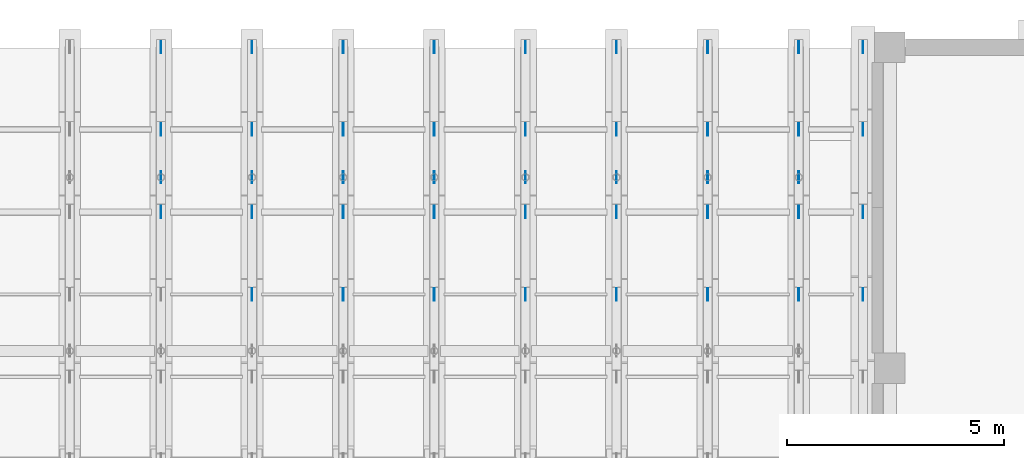
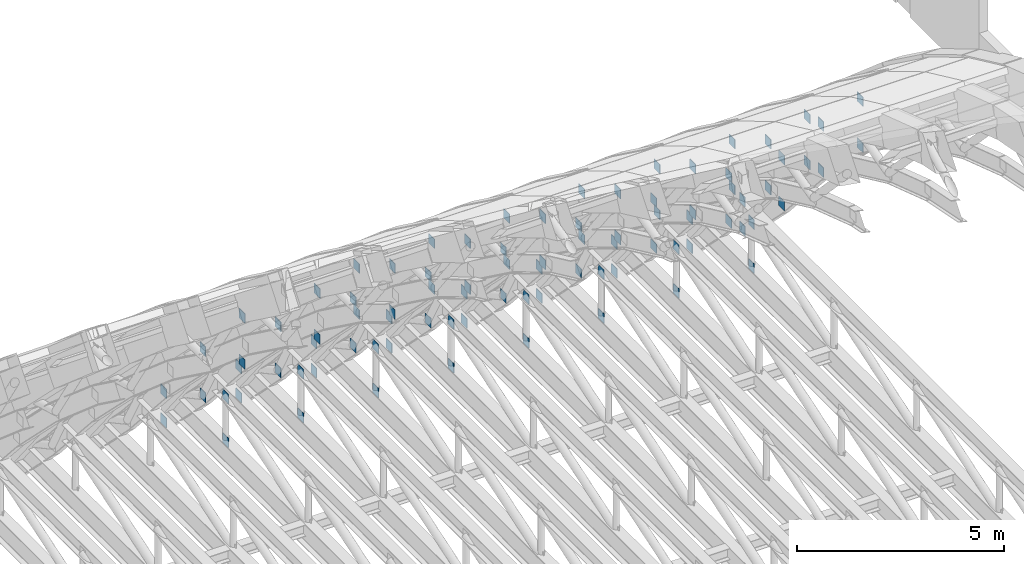
# One storey, part 65 of 67: 86 plates.
"""IFC4 building model written with IfcOpenShell, lengths in metres."""

from ifc_helpers import new_model, si_unit, direction, frame, origin, origin_2d, place, context, subcontext, project, spatial, rectangle, extrude, material, layer, layer_set, type_object, element, save


model = new_model("IFC4")

# Units and contexts
model_context = context("Model", 3, precision=1e-05, world=origin(), true_north=direction((0.0, 1.0)))
body_context = subcontext(model_context, "Body", "Model", "MODEL_VIEW")
ifc_project = project(units=[si_unit("LENGTHUNIT", "METRE"), si_unit("AREAUNIT", "SQUARE_METRE"), si_unit("VOLUMEUNIT", "CUBIC_METRE"), si_unit("PLANEANGLEUNIT", "RADIAN"), si_unit("MASSUNIT", "GRAM", prefix="KILO")], contexts=[model_context])

# Site, building, storey
site_placement = place(None, origin())
site = spatial("IfcSite", under=ifc_project, at=site_placement, CompositionType="ELEMENT")
building_placement = place(site_placement, origin())
building = spatial("IfcBuilding", under=site, at=building_placement, Name="Shengluoqiao Park Theatre", CompositionType="ELEMENT")
storey_placement = place(building_placement, frame((0.0, 0.0, 28.60009765625)))
storey = spatial("IfcBuildingStorey", under=building, at=storey_placement, Name="Roof", CompositionType="ELEMENT", Elevation=28.60009765625)

# Plates
ifc_material = material(Name="Steel Q355", Category="steel")
ifc_layer = layer(ifc_material, 0.013916015625, Name="Steel Q355")
ifc_layer_set = layer_set([ifc_layer], Name="Steel Q355")
plate_type = type_object("IfcPlateType", Name="STR-PLT-EC-280", PredefinedType="SHEET", material=ifc_layer_set)
for number, where, z_axis, x_axis, name in (
    (1, (69.60009765625, 110.199951171875, -5.6240234375), (0.0, 0.0, 1.0), (1.0, 0.0, 0.0), "Arch Truss Node Gusset Plate R13-U18"),
    (2, (69.60009765625, 110.199951171875, -6.98388671875), (0.0, 0.0, 1.0), (1.0, 0.0, 0.0), "Arch Truss Node Gusset Plate R13-L18"),
    (3, (69.60009765625, 112.10009765625, -7.76611328125), (0.0, 0.0, 1.0), (1.0, 0.0, 0.0), "Arch Truss Node Gusset Plate R13-U19"),
    (4, (69.60009765625, 112.10009765625, -9.1259765625), (0.0, 0.0, 1.0), (1.0, 0.0, 0.0), "Arch Truss Node Gusset Plate R13-L19"),
    (5, (69.60009765625, 114.0, -10.16015625), (0.0, 0.0, 1.0), (1.0, 0.0, 0.0), "Arch Truss Node Gusset Plate R13-U20"),
    (6, (69.60009765625, 114.0, -11.02001953125), (0.0, 0.0, 1.0), (1.0, 0.0, 0.0), "Arch Truss Node Gusset Plate R13-L20"),
    (7, (71.699951171875, 108.300048828125, -3.73388671875), (0.0, 0.0, 1.0), (1.0, 0.0, 0.0), "Arch Truss Node Gusset Plate R14-U17"),
    (8, (71.699951171875, 108.300048828125, -5.09423828125), (0.0, 0.0, 1.0), (1.0, 0.0, 0.0), "Arch Truss Node Gusset Plate R14-L17"),
    (9, (71.699951171875, 110.199951171875, -5.6240234375), (0.0, 0.0, 1.0), (1.0, 0.0, 0.0), "Arch Truss Node Gusset Plate R14-U18"),
    (10, (71.699951171875, 110.199951171875, -6.98388671875), (0.0, 0.0, 1.0), (1.0, 0.0, 0.0), "Arch Truss Node Gusset Plate R14-L18"),
    (11, (71.699951171875, 112.10009765625, -7.76611328125), (0.0, 0.0, 1.0), (1.0, 0.0, 0.0), "Arch Truss Node Gusset Plate R14-U19"),
    (12, (71.699951171875, 112.10009765625, -9.1259765625), (0.0, 0.0, 1.0), (1.0, 0.0, 0.0), "Arch Truss Node Gusset Plate R14-L19"),
    (13, (71.699951171875, 114.0, -10.16015625), (0.0, 0.0, 1.0), (1.0, 0.0, 0.0), "Arch Truss Node Gusset Plate R14-U20"),
    (14, (71.699951171875, 114.0, -11.02001953125), (0.0, 0.0, 1.0), (1.0, 0.0, 0.0), "Arch Truss Node Gusset Plate R14-L20"),
    (15, (73.800048828125, 108.300048828125, -3.73388671875), (0.0, 0.0, 1.0), (1.0, 0.0, 0.0), "Arch Truss Node Gusset Plate R15-U17"),
    (16, (73.800048828125, 108.300048828125, -5.09423828125), (0.0, 0.0, 1.0), (1.0, 0.0, 0.0), "Arch Truss Node Gusset Plate R15-L17"),
    (17, (73.800048828125, 110.199951171875, -5.6240234375), (0.0, 0.0, 1.0), (1.0, 0.0, 0.0), "Arch Truss Node Gusset Plate R15-U18"),
    (18, (73.800048828125, 110.199951171875, -6.98388671875), (0.0, 0.0, 1.0), (1.0, 0.0, 0.0), "Arch Truss Node Gusset Plate R15-L18"),
    (19, (73.800048828125, 112.10009765625, -7.76611328125), (0.0, 0.0, 1.0), (1.0, 0.0, 0.0), "Arch Truss Node Gusset Plate R15-U19"),
    (20, (73.800048828125, 112.10009765625, -9.1259765625), (0.0, 0.0, 1.0), (1.0, 0.0, 0.0), "Arch Truss Node Gusset Plate R15-L19"),
    (21, (73.800048828125, 114.0, -10.16015625), (0.0, 0.0, 1.0), (1.0, 0.0, 0.0), "Arch Truss Node Gusset Plate R15-U20"),
    (22, (73.800048828125, 114.0, -11.02001953125), (0.0, 0.0, 1.0), (1.0, 0.0, 0.0), "Arch Truss Node Gusset Plate R15-L20"),
    (23, (75.89990234375, 108.300048828125, -3.73388671875), (0.0, 0.0, 1.0), (1.0, 0.0, 0.0), "Arch Truss Node Gusset Plate R16-U17"),
    (24, (75.89990234375, 108.300048828125, -5.09423828125), (0.0, 0.0, 1.0), (1.0, 0.0, 0.0), "Arch Truss Node Gusset Plate R16-L17"),
    (25, (75.89990234375, 110.199951171875, -5.6240234375), (0.0, 0.0, 1.0), (1.0, 0.0, 0.0), "Arch Truss Node Gusset Plate R16-U18"),
    (26, (75.89990234375, 110.199951171875, -6.98388671875), (0.0, 0.0, 1.0), (1.0, 0.0, 0.0), "Arch Truss Node Gusset Plate R16-L18"),
    (27, (75.89990234375, 112.10009765625, -7.76611328125), (0.0, 0.0, 1.0), (1.0, 0.0, 0.0), "Arch Truss Node Gusset Plate R16-U19"),
    (28, (75.89990234375, 112.10009765625, -9.1259765625), (0.0, 0.0, 1.0), (1.0, 0.0, 0.0), "Arch Truss Node Gusset Plate R16-L19"),
    (29, (75.89990234375, 114.0, -10.16015625), (0.0, 0.0, 1.0), (1.0, 0.0, 0.0), "Arch Truss Node Gusset Plate R16-U20"),
    (30, (75.89990234375, 114.0, -11.02001953125), (0.0, 0.0, 1.0), (1.0, 0.0, 0.0), "Arch Truss Node Gusset Plate R16-L20"),
    (31, (78.0, 108.300048828125, -3.73388671875), (0.0, 0.0, 1.0), (1.0, 0.0, 0.0), "Arch Truss Node Gusset Plate R17-U17"),
    (32, (78.0, 108.300048828125, -5.09423828125), (0.0, 0.0, 1.0), (1.0, 0.0, 0.0), "Arch Truss Node Gusset Plate R17-L17"),
    (33, (78.0, 110.199951171875, -5.6240234375), (0.0, 0.0, 1.0), (1.0, 0.0, 0.0), "Arch Truss Node Gusset Plate R17-U18"),
    (34, (78.0, 110.199951171875, -6.98388671875), (0.0, 0.0, 1.0), (1.0, 0.0, 0.0), "Arch Truss Node Gusset Plate R17-L18"),
    (35, (78.0, 112.10009765625, -7.76611328125), (0.0, 0.0, 1.0), (1.0, 0.0, 0.0), "Arch Truss Node Gusset Plate R17-U19"),
    (36, (78.0, 112.10009765625, -9.1259765625), (0.0, 0.0, 1.0), (1.0, 0.0, 0.0), "Arch Truss Node Gusset Plate R17-L19"),
    (37, (78.0, 114.0, -10.16015625), (0.0, 0.0, 1.0), (1.0, 0.0, 0.0), "Arch Truss Node Gusset Plate R17-U20"),
    (38, (78.0, 114.0, -11.02001953125), (0.0, 0.0, 1.0), (1.0, 0.0, 0.0), "Arch Truss Node Gusset Plate R17-L20"),
    (39, (80.10009765625, 108.300048828125, -3.73388671875), (0.0, 0.0, 1.0), (1.0, 0.0, 0.0), "Arch Truss Node Gusset Plate R18-U17"),
    (40, (80.10009765625, 108.300048828125, -5.09423828125), (0.0, 0.0, 1.0), (1.0, 0.0, 0.0), "Arch Truss Node Gusset Plate R18-L17"),
    (41, (80.10009765625, 110.199951171875, -5.6240234375), (0.0, 0.0, 1.0), (1.0, 0.0, 0.0), "Arch Truss Node Gusset Plate R18-U18"),
    (42, (80.10009765625, 110.199951171875, -6.98388671875), (0.0, 0.0, 1.0), (1.0, 0.0, 0.0), "Arch Truss Node Gusset Plate R18-L18"),
    (43, (80.10009765625, 112.10009765625, -7.76611328125), (0.0, 0.0, 1.0), (1.0, 0.0, 0.0), "Arch Truss Node Gusset Plate R18-U19"),
    (44, (80.10009765625, 112.10009765625, -9.1259765625), (0.0, 0.0, 1.0), (1.0, 0.0, 0.0), "Arch Truss Node Gusset Plate R18-L19"),
    (45, (80.10009765625, 114.0, -10.16015625), (0.0, 0.0, 1.0), (1.0, 0.0, 0.0), "Arch Truss Node Gusset Plate R18-U20"),
    (46, (80.10009765625, 114.0, -11.02001953125), (0.0, 0.0, 1.0), (1.0, 0.0, 0.0), "Arch Truss Node Gusset Plate R18-L20"),
    (47, (82.199951171875, 108.300048828125, -3.73388671875), (0.0, 0.0, 1.0), (1.0, 0.0, 0.0), "Arch Truss Node Gusset Plate R19-U17"),
    (48, (82.199951171875, 108.300048828125, -5.09423828125), (0.0, 0.0, 1.0), (1.0, 0.0, 0.0), "Arch Truss Node Gusset Plate R19-L17"),
    (49, (82.199951171875, 110.199951171875, -5.6240234375), (0.0, 0.0, 1.0), (1.0, 0.0, 0.0), "Arch Truss Node Gusset Plate R19-U18"),
    (50, (82.199951171875, 110.199951171875, -6.98388671875), (0.0, 0.0, 1.0), (1.0, 0.0, 0.0), "Arch Truss Node Gusset Plate R19-L18"),
    (51, (82.199951171875, 112.10009765625, -7.76611328125), (0.0, 0.0, 1.0), (1.0, 0.0, 0.0), "Arch Truss Node Gusset Plate R19-U19"),
    (52, (82.199951171875, 112.10009765625, -9.1259765625), (0.0, 0.0, 1.0), (1.0, 0.0, 0.0), "Arch Truss Node Gusset Plate R19-L19"),
    (53, (82.199951171875, 114.0, -10.16015625), (0.0, 0.0, 1.0), (1.0, 0.0, 0.0), "Arch Truss Node Gusset Plate R19-U20"),
    (54, (82.199951171875, 114.0, -11.02001953125), (0.0, 0.0, 1.0), (1.0, 0.0, 0.0), "Arch Truss Node Gusset Plate R19-L20"),
    (55, (84.300048828125, 108.300048828125, -3.73388671875), (0.0, 0.0, 1.0), (1.0, 0.0, 0.0), "Arch Truss Node Gusset Plate R20-U17"),
    (56, (84.300048828125, 108.300048828125, -5.09423828125), (0.0, 0.0, 1.0), (1.0, 0.0, 0.0), "Arch Truss Node Gusset Plate R20-L17"),
    (57, (84.300048828125, 110.199951171875, -5.6240234375), (0.0, 0.0, 1.0), (1.0, 0.0, 0.0), "Arch Truss Node Gusset Plate R20-U18"),
    (58, (84.300048828125, 110.199951171875, -6.98388671875), (0.0, 0.0, 1.0), (1.0, 0.0, 0.0), "Arch Truss Node Gusset Plate R20-L18"),
    (59, (84.300048828125, 112.10009765625, -7.76611328125), (0.0, 0.0, 1.0), (1.0, 0.0, 0.0), "Arch Truss Node Gusset Plate R20-U19"),
    (60, (84.300048828125, 112.10009765625, -9.1259765625), (0.0, 0.0, 1.0), (1.0, 0.0, 0.0), "Arch Truss Node Gusset Plate R20-L19"),
    (61, (84.300048828125, 114.0, -10.16015625), (0.0, 0.0, 1.0), (1.0, 0.0, 0.0), "Arch Truss Node Gusset Plate R20-U20"),
    (62, (84.300048828125, 114.0, -11.02001953125), (0.0, 0.0, 1.0), (1.0, 0.0, 0.0), "Arch Truss Node Gusset Plate R20-L20"),
    (63, (85.780029296875, 108.300048828125, -3.73388671875), (0.0, 0.0, 1.0), (1.0, 0.0, 0.0), "Arch Truss Node Gusset Plate R21-U17"),
    (64, (85.780029296875, 108.300048828125, -5.09423828125), (0.0, 0.0, 1.0), (1.0, 0.0, 0.0), "Arch Truss Node Gusset Plate R21-L17"),
    (65, (85.780029296875, 110.199951171875, -5.6240234375), (0.0, 0.0, 1.0), (1.0, 0.0, 0.0), "Arch Truss Node Gusset Plate R21-U18"),
    (66, (85.780029296875, 110.199951171875, -6.98388671875), (0.0, 0.0, 1.0), (1.0, 0.0, 0.0), "Arch Truss Node Gusset Plate R21-L18"),
    (67, (85.780029296875, 112.10009765625, -7.76611328125), (0.0, 0.0, 1.0), (1.0, 0.0, 0.0), "Arch Truss Node Gusset Plate R21-U19"),
    (68, (85.780029296875, 112.10009765625, -9.1259765625), (0.0, 0.0, 1.0), (1.0, 0.0, 0.0), "Arch Truss Node Gusset Plate R21-L19"),
    (69, (85.780029296875, 114.0, -10.16015625), (0.0, 0.0, 1.0), (1.0, 0.0, 0.0), "Arch Truss Node Gusset Plate R21-U20"),
    (70, (85.780029296875, 114.0, -11.02001953125), (0.0, 0.0, 1.0), (1.0, 0.0, 0.0), "Arch Truss Node Gusset Plate R21-L20"),
    (71, (69.60009765625, 111.0, -9.7900390625), (0.0, 0.0, 1.0), (1.0, 0.0, 0.0), "Tie Truss Node Gusset Plate R13-B08"),
    (72, (69.60009765625, 111.0, -8.490234375), (0.0, 0.0, 1.0), (1.0, 0.0, 0.0), "Tie Truss Node Gusset Plate R13-T08"),
    (73, (71.699951171875, 111.0, -9.7900390625), (0.0, 0.0, 1.0), (1.0, 0.0, 0.0), "Tie Truss Node Gusset Plate R14-B08"),
    (74, (71.699951171875, 111.0, -8.490234375), (0.0, 0.0, 1.0), (1.0, 0.0, 0.0), "Tie Truss Node Gusset Plate R14-T08"),
    (75, (73.800048828125, 111.0, -9.7900390625), (0.0, 0.0, 1.0), (1.0, 0.0, 0.0), "Tie Truss Node Gusset Plate R15-B08"),
    (76, (73.800048828125, 111.0, -8.490234375), (0.0, 0.0, 1.0), (1.0, 0.0, 0.0), "Tie Truss Node Gusset Plate R15-T08"),
    (77, (75.89990234375, 111.0, -9.7900390625), (0.0, 0.0, 1.0), (1.0, 0.0, 0.0), "Tie Truss Node Gusset Plate R16-B08"),
    (78, (75.89990234375, 111.0, -8.490234375), (0.0, 0.0, 1.0), (1.0, 0.0, 0.0), "Tie Truss Node Gusset Plate R16-T08"),
    (79, (78.0, 111.0, -9.7900390625), (0.0, 0.0, 1.0), (1.0, 0.0, 0.0), "Tie Truss Node Gusset Plate R17-B08"),
    (80, (78.0, 111.0, -8.490234375), (0.0, 0.0, 1.0), (1.0, 0.0, 0.0), "Tie Truss Node Gusset Plate R17-T08"),
    (81, (80.10009765625, 111.0, -9.7900390625), (0.0, 0.0, 1.0), (1.0, 0.0, 0.0), "Tie Truss Node Gusset Plate R18-B08"),
    (82, (80.10009765625, 111.0, -8.490234375), (0.0, 0.0, 1.0), (1.0, 0.0, 0.0), "Tie Truss Node Gusset Plate R18-T08"),
    (83, (82.199951171875, 111.0, -9.7900390625), (0.0, 0.0, 1.0), (1.0, 0.0, 0.0), "Tie Truss Node Gusset Plate R19-B08"),
    (84, (82.199951171875, 111.0, -8.490234375), (0.0, 0.0, 1.0), (1.0, 0.0, 0.0), "Tie Truss Node Gusset Plate R19-T08"),
    (85, (84.300048828125, 111.0, -9.7900390625), (0.0, 0.0, 1.0), (1.0, 0.0, 0.0), "Tie Truss Node Gusset Plate R20-B08"),
    (86, (84.300048828125, 111.0, -8.490234375), (0.0, 0.0, 1.0), (1.0, 0.0, 0.0), "Tie Truss Node Gusset Plate R20-T08"),
):
    element("IfcPlate", number, at=place(storey_placement, frame(where, z_axis=z_axis, x_axis=x_axis)), inside=storey, type_object=plate_type, Name=name, PredefinedType="SHEET", context=body_context, shape_type="SweptSolid", body=[
        extrude(rectangle(XDim=0.01806640625, YDim=0.280029296875, at=origin_2d()), origin(), (0.0, 0.0, 1.0), 0.280029296875),
    ])

save(model, "model.ifc")
